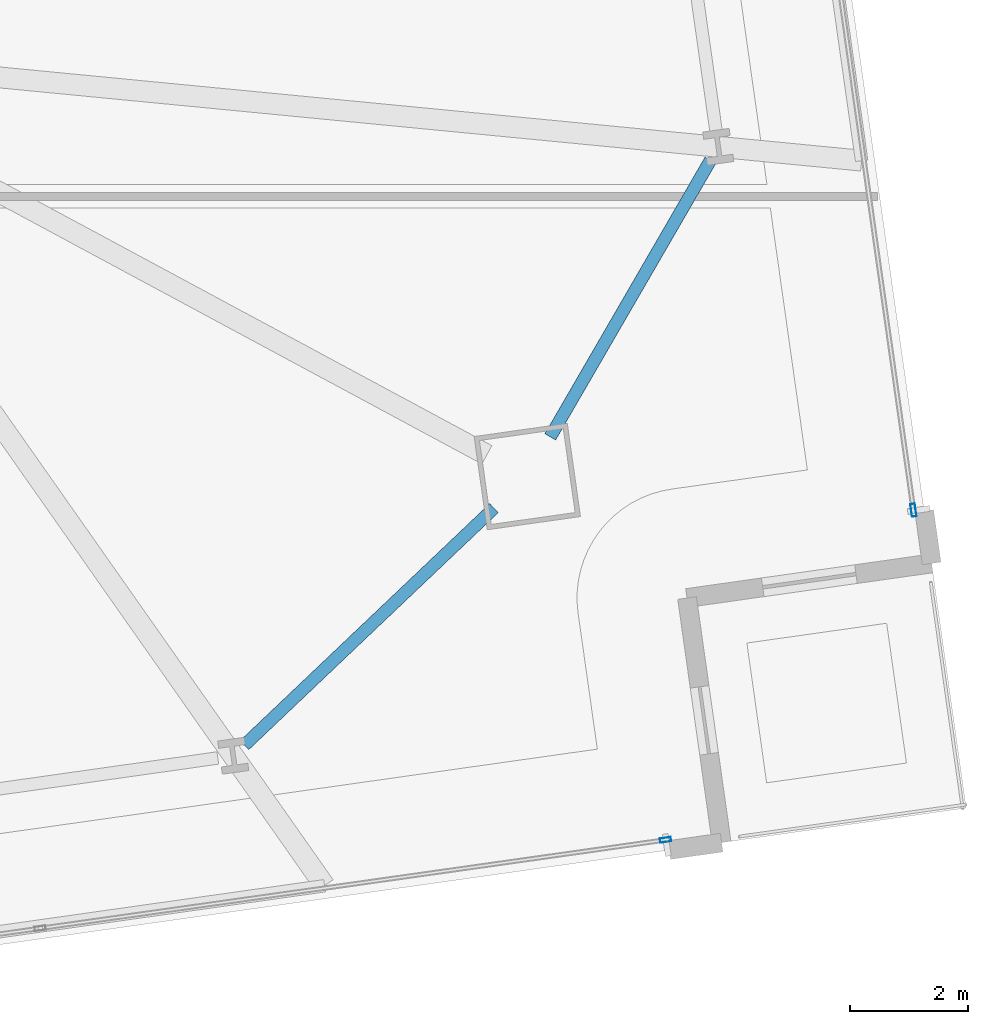
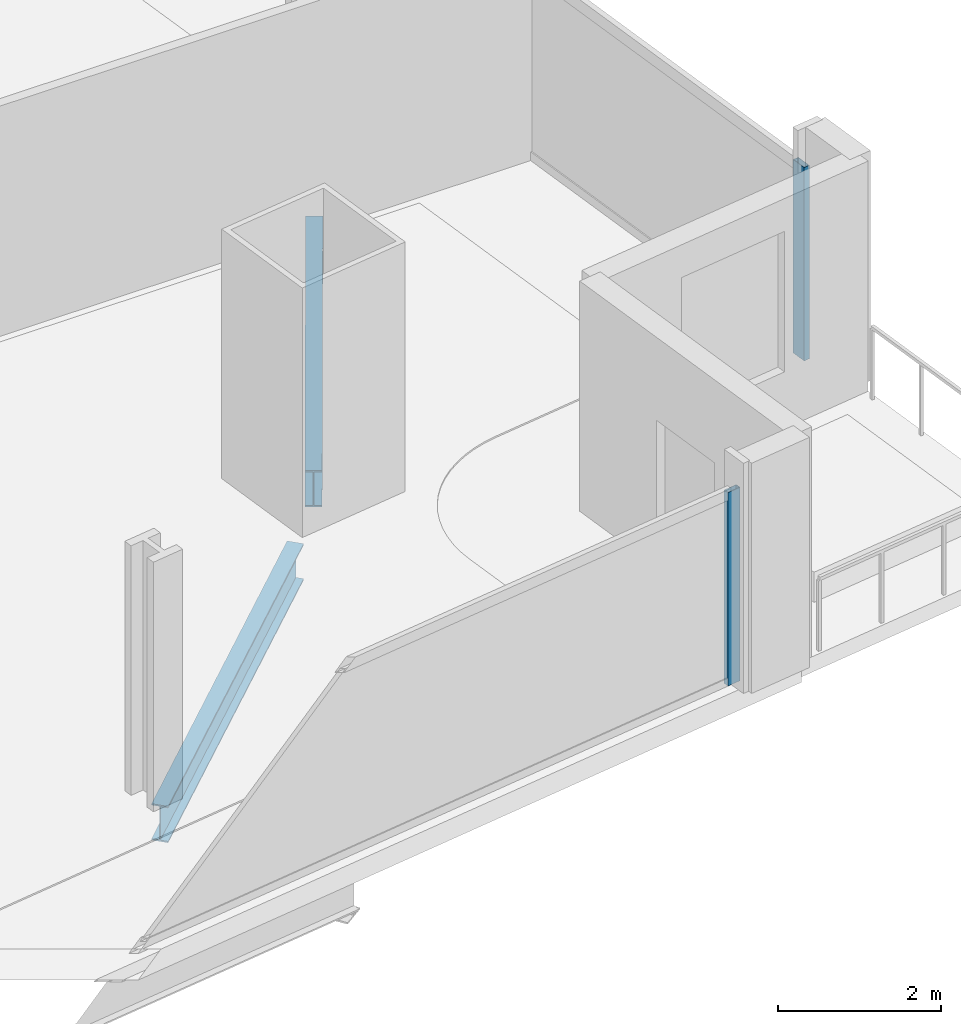
# One storey, part 11 of 33: 2 beams, 2 members, 2 elements without a shape of their own.
"""IFC4 building model written with IfcOpenShell, lengths in metres."""

from ifc_helpers import new_model, si_unit, direction, frame, origin, origin_2d, place, context, subcontext, project, spatial, hollow_rectangle, i_section, extrude, material, material_profile, profile_set, type_object, element, aggregate, save


model = new_model("IFC4")

# Units and contexts
model_context = context("Model", 3, precision=1e-05, world=origin(), true_north=direction((0.0, 1.0)))
body_context = subcontext(model_context, "Body", "Model", "MODEL_VIEW")
ifc_project = project(units=[si_unit("LENGTHUNIT", "METRE"), si_unit("AREAUNIT", "SQUARE_METRE"), si_unit("VOLUMEUNIT", "CUBIC_METRE"), si_unit("PLANEANGLEUNIT", "RADIAN"), si_unit("MASSUNIT", "GRAM", prefix="KILO")], contexts=[model_context])

# Site, building, storey
site_placement = place(None, origin())
site = spatial("IfcSite", under=ifc_project, at=site_placement, CompositionType="ELEMENT")
building_placement = place(site_placement, origin())
building = spatial("IfcBuilding", under=site, at=building_placement, Name="Haldenkirk Collegiate Tower", CompositionType="ELEMENT")
storey_placement = place(building_placement, frame((0.0, 0.0, 55.199951171875)))
storey = spatial("IfcBuildingStorey", under=building, at=storey_placement, Name="L12", CompositionType="ELEMENT", Elevation=55.199951171875)

# Beams
ifc_material_1 = material(Name="Steel ASTM A992 Grade 50", Category="steel")
ifc_material_profile_1 = material_profile(ifc_material_1, i_section(OverallWidth=0.2119140625, OverallDepth=0.5439453125, WebThickness=0.01318359375, FlangeThickness=0.021240234375, at=origin_2d()), Name="W21X83")
ifc_profile_set_1 = profile_set([ifc_material_profile_1], Name="Steel ASTM A992 Grade 50")
beam_type = type_object("IfcBeamType", Name="BM-SPANDREL-W21X83", PredefinedType="SPANDREL", material=ifc_profile_set_1)
beam_1_placement = place(storey_placement, frame((53.594482421875, 6.222412109375, -0.58203125), z_axis=(0.725113023209, 0.688629874151, 0.0), x_axis=(-0.688629874151, 0.725113023209, 0.0)))
element("IfcBeam", 1, at=beam_1_placement, inside=storey, type_object=beam_type, Name="L12 perimeter spandrel beam 04", PredefinedType="SPANDREL", context=body_context, shape_type="SweptSolid", body=[
    extrude(i_section(OverallWidth=0.2119140625, OverallDepth=0.5439453125, WebThickness=0.01318359375, FlangeThickness=0.021240234375, at=origin_2d()), origin(), (0.0, 0.0, 1.0), 5.8486328125),
])
beam_2_placement = place(storey_placement, frame((58.7919921875, 11.462158203125, -0.58203125), z_axis=(0.50120629055, 0.865327830543, 0.0), x_axis=(-0.865327830543, 0.50120629055, 0.0)))
element("IfcBeam", 2, at=beam_2_placement, inside=storey, type_object=beam_type, Name="L12 perimeter spandrel beam 05", PredefinedType="SPANDREL", context=body_context, shape_type="SweptSolid", body=[
    extrude(i_section(OverallWidth=0.2119140625, OverallDepth=0.5439453125, WebThickness=0.01318359375, FlangeThickness=0.021240234375, at=origin_2d()), origin(), (0.0, 0.0, 1.0), 5.43359375),
])

# Curtain wall, member
ifc_material_2 = material(Name="Anodised architectural bronze aluminium", Category="aluminium")
curtain_wall_type_1 = type_object("IfcCurtainWallType", Name="CW-SYS2-CONCAVE", PredefinedType="USERDEFINED", material=ifc_material_2)
curtain_wall_1_placement = place(storey_placement, origin())
curtain_wall_1 = element("IfcCurtainWall", 3, at=curtain_wall_1_placement, inside=storey, type_object=curtain_wall_type_1, Name="L12 South concave recessed bronze-anodised curtain wall", ObjectType="UNITISED CURTAIN WALL", PredefinedType="USERDEFINED")
ifc_material_profile_2 = material_profile(ifc_material_2, hollow_rectangle(XDim=0.074951171875, YDim=0.18994140625, WallThickness=0.0048828125, at=origin_2d()), Name="CW-MUL-02")
ifc_profile_set_2 = profile_set([ifc_material_profile_2], Name="Anodised architectural bronze aluminium")
member_type_1 = type_object("IfcMemberType", Name="CW-MUL-02", PredefinedType="MULLION", material=ifc_profile_set_2)
member_1_placement = place(storey_placement, frame((60.751708984375, 4.6103515625, 0.0), z_axis=(0.0, 0.0, 1.0), x_axis=(0.140039087345, -0.990145976114, 0.0)))
member_1 = element("IfcMember", 4, at=member_1_placement, type_object=member_type_1, Name="CW-02 mullion 1", PredefinedType="MULLION", context=body_context, shape_type="SweptSolid", body=[
    extrude(hollow_rectangle(XDim=0.074951171875, YDim=0.18994140625, WallThickness=0.0048828125, at=origin_2d()), origin(), (0.0, 0.0, 1.0), 2.89111328125),
])
aggregate(curtain_wall_1, [member_1])

curtain_wall_type_2 = type_object("IfcCurtainWallType", Name="CW-SYS1-CONVEX-LOW", PredefinedType="USERDEFINED", material=ifc_material_2)
curtain_wall_2_placement = place(storey_placement, origin())
curtain_wall_2 = element("IfcCurtainWall", 5, at=curtain_wall_2_placement, inside=storey, type_object=curtain_wall_type_2, Name="L12 Lower tower convex bronze-framed unitised curtain wall", ObjectType="UNITISED CURTAIN WALL", PredefinedType="USERDEFINED")
ifc_material_profile_3 = material_profile(ifc_material_2, hollow_rectangle(XDim=0.080078125, YDim=0.219970703125, WallThickness=0.0048828125, at=origin_2d()), Name="CW-MUL-1A")
ifc_profile_set_3 = profile_set([ifc_material_profile_3], Name="Anodised architectural bronze aluminium")
member_type_2 = type_object("IfcMemberType", Name="CW-MUL-1A", PredefinedType="MULLION", material=ifc_profile_set_3)
member_2_placement = place(storey_placement, frame((64.9658203125, 10.2158203125, 0.0), z_axis=(0.0, 0.0, 1.0), x_axis=(0.990145921918, 0.140039470541, 0.0)))
member_2 = element("IfcMember", 6, at=member_2_placement, type_object=member_type_2, Name="CW-1A mullion 5", PredefinedType="MULLION", context=body_context, shape_type="SweptSolid", body=[
    extrude(hollow_rectangle(XDim=0.080078125, YDim=0.219970703125, WallThickness=0.0048828125, at=origin_2d()), origin(), (0.0, 0.0, 1.0), 2.89111328125),
])
aggregate(curtain_wall_2, [member_2])

save(model, "model.ifc")
